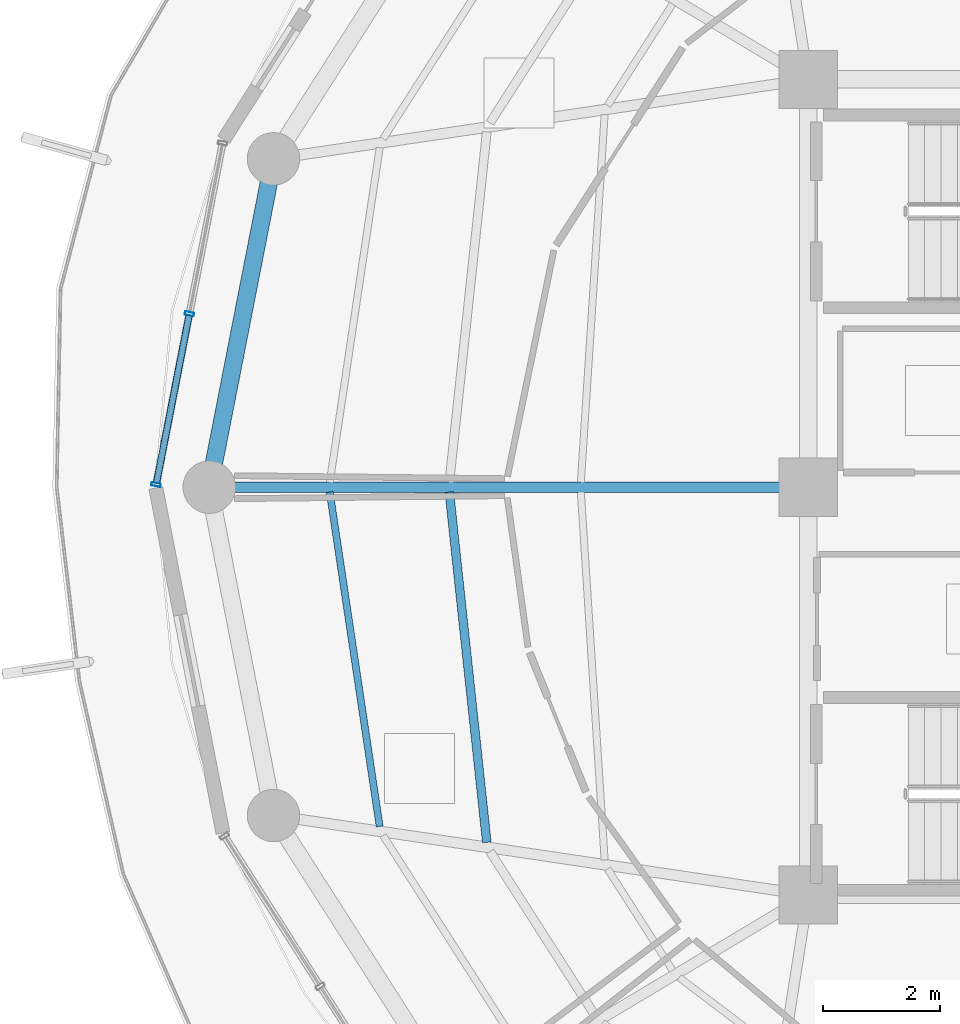
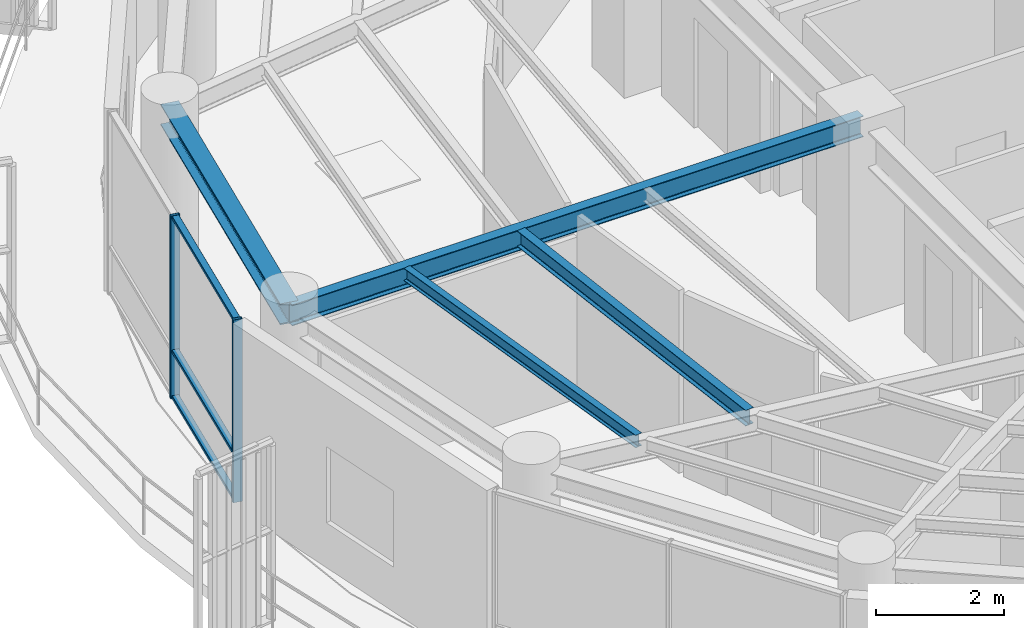
# One storey, part 5 of 22: 5 members, 4 beams, 1 element without a shape of its own.
"""IFC4 building model written with IfcOpenShell, lengths in metres."""

from ifc_helpers import new_model, si_unit, direction, frame, origin, origin_2d, place, context, subcontext, project, spatial, hollow_rectangle, i_section, extrude, material, layer, layer_set, material_profile, profile_set, type_object, element, aggregate, save


model = new_model("IFC4")

# Units and contexts
model_context = context("Model", 3, precision=1e-05, world=origin(), true_north=direction((0.0, 1.0)))
body_context = subcontext(model_context, "Body", "Model", "MODEL_VIEW")
ifc_project = project(units=[si_unit("LENGTHUNIT", "METRE"), si_unit("AREAUNIT", "SQUARE_METRE"), si_unit("VOLUMEUNIT", "CUBIC_METRE"), si_unit("PLANEANGLEUNIT", "RADIAN"), si_unit("MASSUNIT", "GRAM", prefix="KILO")], contexts=[model_context])

# Site, building, storey
site_placement = place(None, origin())
site = spatial("IfcSite", under=ifc_project, at=site_placement, CompositionType="ELEMENT")
building_placement = place(site_placement, origin())
building = spatial("IfcBuilding", under=site, at=building_placement, Name="Kelanora Arch Commons", CompositionType="ELEMENT")
storey_placement = place(building_placement, frame((0.0, 0.0, 263.699951171875)))
storey = spatial("IfcBuildingStorey", under=building, at=storey_placement, Name="L67", CompositionType="ELEMENT", Elevation=263.699951171875)

# Beams
ifc_material_1 = material(Name="Steel S355", Category="steel")
ifc_material_profile_1 = material_profile(ifc_material_1, i_section(OverallWidth=0.14990234375, OverallDepth=0.300048828125, WebThickness=0.007080078125, FlangeThickness=0.0107421875, FilletRadius=0.014892578125, at=origin_2d()), Name="IPE300")
ifc_profile_set_1 = profile_set([ifc_material_profile_1], Name="Steel S355")
beam_type_1 = type_object("IfcBeamType", Name="BM-JST-01", PredefinedType="JOIST", material=ifc_profile_set_1)
beam_1_placement = place(storey_placement, frame((59.841064453125, 57.91552734375, 3.340087890625), z_axis=(0.106380594087, -0.994325484538, 0.0), x_axis=(0.994325484538, 0.106380594087, 0.0)))
element("IfcBeam", 1, at=beam_1_placement, inside=storey, type_object=beam_type_1, Name="Secondary Chord Joist BJB-18 L67", PredefinedType="JOIST", context=body_context, shape_type="SweptSolid", body=[
    extrude(i_section(OverallWidth=0.14990234375, OverallDepth=0.300048828125, WebThickness=0.007080078125, FlangeThickness=0.0107421875, FilletRadius=0.014892578125, at=origin_2d()), origin(), (0.0, 0.0, 1.0), 6.04736328125),
])
ifc_material_profile_2 = material_profile(ifc_material_1, i_section(OverallWidth=0.1201171875, OverallDepth=0.239990234375, WebThickness=0.006103515625, FlangeThickness=0.009765625, FilletRadius=0.014892578125, at=origin_2d()), Name="IPE240")
ifc_profile_set_2 = profile_set([ifc_material_profile_2], Name="Steel S355")
beam_type_2 = type_object("IfcBeamType", Name="BM-JST-02", PredefinedType="JOIST", material=ifc_profile_set_2)
beam_2_placement = place(storey_placement, frame((57.78857421875, 57.916015625, 3.3701171875), z_axis=(0.14762470282, -0.989043450571, 0.0), x_axis=(0.989043450571, 0.14762470282, 0.0)))
element("IfcBeam", 2, at=beam_2_placement, inside=storey, type_object=beam_type_2, Name="Secondary Chord Joist BJC-18 L67", PredefinedType="JOIST", context=body_context, shape_type="SweptSolid", body=[
    extrude(i_section(OverallWidth=0.1201171875, OverallDepth=0.239990234375, WebThickness=0.006103515625, FlangeThickness=0.009765625, FilletRadius=0.014892578125, at=origin_2d()), origin(), (0.0, 0.0, 1.0), 5.804931640625),
])
ifc_material_profile_3 = material_profile(ifc_material_1, i_section(OverallWidth=0.179931640625, OverallDepth=0.39990234375, WebThickness=0.008544921875, FlangeThickness=0.013427734375, FilletRadius=0.02099609375, at=origin_2d()), Name="IPE400")
ifc_profile_set_3 = profile_set([ifc_material_profile_3], Name="Steel S355")
beam_type_3 = type_object("IfcBeamType", Name="BM-RAD-Z5", PredefinedType="BEAM", material=ifc_profile_set_3)
beam_3_placement = place(storey_placement, frame((66.0, 58.0, 3.2900390625), z_axis=(-1.0, 0.0, 0.0), x_axis=(0.0, -1.0, 0.0)))
element("IfcBeam", 3, at=beam_3_placement, inside=storey, type_object=beam_type_3, Name="Radial Floor Girder BR-18 L67", PredefinedType="BEAM", context=body_context, shape_type="SweptSolid", body=[
    extrude(i_section(OverallWidth=0.179931640625, OverallDepth=0.39990234375, WebThickness=0.008544921875, FlangeThickness=0.013427734375, FilletRadius=0.02099609375, at=origin_2d()), origin(), (0.0, 0.0, 1.0), 10.280029296875),
])
ifc_material_profile_4 = material_profile(ifc_material_1, i_section(OverallWidth=0.300048828125, OverallDepth=0.39990234375, WebThickness=0.013427734375, FlangeThickness=0.02392578125, FilletRadius=0.027099609375, at=origin_2d()), Name="HEB400")
ifc_profile_set_4 = profile_set([ifc_material_profile_4], Name="Steel S355")
beam_type_4 = type_object("IfcBeamType", Name="BM-SPN-Z4", PredefinedType="SPANDREL", material=ifc_profile_set_4)
beam_4_placement = place(storey_placement, frame((56.822509765625, 63.636474609375, 3.2900390625), z_axis=(-0.191969774604, -0.981400838413, 0.0), x_axis=(0.981400838413, -0.191969774604, 0.0)))
element("IfcBeam", 4, at=beam_4_placement, inside=storey, type_object=beam_type_4, Name="Perimeter Spandrel Beam BS-16 L67", PredefinedType="SPANDREL", context=body_context, shape_type="SweptSolid", body=[
    extrude(i_section(OverallWidth=0.300048828125, OverallDepth=0.39990234375, WebThickness=0.013427734375, FlangeThickness=0.02392578125, FilletRadius=0.027099609375, at=origin_2d()), origin(), (0.0, 0.0, 1.0), 5.743408203125),
])

# Curtain wall, members
ifc_material_2 = material(Name="Terracotta ceramic-fritted low-E glass and aluminium", Category="masonry")
ifc_layer = layer(ifc_material_2, 0.18994140625)
ifc_layer_set = layer_set([ifc_layer], Name="Terracotta ceramic-fritted low-E glass and aluminium")
curtain_wall_type = type_object("IfcCurtainWallType", Name="CW-SYS-03", PredefinedType="NOTDEFINED", material=ifc_layer_set)
curtain_wall_placement = place(storey_placement, origin())
curtain_wall = element("IfcCurtainWall", 5, at=curtain_wall_placement, inside=storey, type_object=curtain_wall_type, Name="Unitised Curtain Wall L67-B08", PredefinedType="NOTDEFINED")
ifc_material_3 = material(Name="Powder-coated aluminium terracotta", Category="masonry")
ifc_material_profile_5 = material_profile(ifc_material_3, hollow_rectangle(XDim=0.159912109375, YDim=0.06005859375, WallThickness=0.0048828125, InnerFilletRadius=0.0048828125, OuterFilletRadius=0.010009765625, at=origin_2d()), Name="CWM160x60")
ifc_profile_set_5 = profile_set([ifc_material_profile_5], Name="Powder-coated aluminium terracotta")
member_type_1 = type_object("IfcMemberType", Name="CWM-STD", PredefinedType="MULLION", material=ifc_profile_set_5)
member_1_placement = place(storey_placement, frame((55.37890625, 60.9755859375, 0.0), z_axis=(0.0, 0.0, 1.0), x_axis=(0.981595542501, -0.190971701941, 0.0)))
member_1 = element("IfcMember", 6, at=member_1_placement, type_object=member_type_1, Name="CW-03 mullion 2", PredefinedType="MULLION", context=body_context, shape_type="SweptSolid", body=[
    extrude(hollow_rectangle(XDim=0.159912109375, YDim=0.06005859375, WallThickness=0.0048828125, InnerFilletRadius=0.0048828125, OuterFilletRadius=0.010009765625, at=origin_2d()), origin(), (0.0, 0.0, 1.0), 3.47509765625),
])
member_2_placement = place(storey_placement, frame((54.80859375, 58.044189453125, 0.0), z_axis=(0.0, 0.0, 1.0), x_axis=(0.981595542501, -0.190971701941, 0.0)))
member_2 = element("IfcMember", 7, at=member_2_placement, type_object=member_type_1, Name="CW-03 mullion 3", PredefinedType="MULLION", context=body_context, shape_type="SweptSolid", body=[
    extrude(hollow_rectangle(XDim=0.159912109375, YDim=0.06005859375, WallThickness=0.0048828125, InnerFilletRadius=0.0048828125, OuterFilletRadius=0.010009765625, at=origin_2d()), origin(), (0.0, 0.0, 1.0), 3.47509765625),
])
ifc_material_profile_6 = material_profile(ifc_material_3, hollow_rectangle(XDim=0.1201171875, YDim=0.06005859375, WallThickness=0.0048828125, InnerFilletRadius=0.0048828125, OuterFilletRadius=0.010009765625, at=origin_2d()), Name="CWT120x60")
ifc_profile_set_6 = profile_set([ifc_material_profile_6], Name="Powder-coated aluminium terracotta")
member_type_2 = type_object("IfcMemberType", Name="CWT-STD", PredefinedType="USERDEFINED", material=ifc_profile_set_6)
member_3_placement = place(storey_placement, frame((55.373291015625, 60.946044921875, 0.030029296875), z_axis=(-0.190963443354, -0.981597149192, 0.0), x_axis=(0.981597149192, -0.190963443354, 0.0)))
member_3 = element("IfcMember", 8, at=member_3_placement, type_object=member_type_2, Name="CW-03 transom 2.1", ObjectType="TRANSOM", PredefinedType="USERDEFINED", context=body_context, shape_type="SweptSolid", body=[
    extrude(hollow_rectangle(XDim=0.1201171875, YDim=0.06005859375, WallThickness=0.0048828125, InnerFilletRadius=0.0048828125, OuterFilletRadius=0.010009765625, at=origin_2d()), origin(), (0.0, 0.0, 1.0), 2.926513671875),
])
member_4_placement = place(storey_placement, frame((55.373291015625, 60.946044921875, 0.900146484375), z_axis=(-0.190963443354, -0.981597149192, 0.0), x_axis=(0.981597149192, -0.190963443354, 0.0)))
member_4 = element("IfcMember", 9, at=member_4_placement, type_object=member_type_2, Name="CW-03 transom 2.2", ObjectType="TRANSOM", PredefinedType="USERDEFINED", context=body_context, shape_type="SweptSolid", body=[
    extrude(hollow_rectangle(XDim=0.1201171875, YDim=0.06005859375, WallThickness=0.0048828125, InnerFilletRadius=0.0048828125, OuterFilletRadius=0.010009765625, at=origin_2d()), origin(), (0.0, 0.0, 1.0), 2.926513671875),
])
member_5_placement = place(storey_placement, frame((55.373291015625, 60.946044921875, 3.445068359375), z_axis=(-0.190963443354, -0.981597149192, 0.0), x_axis=(0.981597149192, -0.190963443354, 0.0)))
member_5 = element("IfcMember", 10, at=member_5_placement, type_object=member_type_2, Name="CW-03 transom 2.3", ObjectType="TRANSOM", PredefinedType="USERDEFINED", context=body_context, shape_type="SweptSolid", body=[
    extrude(hollow_rectangle(XDim=0.1201171875, YDim=0.06005859375, WallThickness=0.0048828125, InnerFilletRadius=0.0048828125, OuterFilletRadius=0.010009765625, at=origin_2d()), origin(), (0.0, 0.0, 1.0), 2.926513671875),
])
aggregate(curtain_wall, [member_1, member_2, member_3, member_4, member_5])

save(model, "model.ifc")
